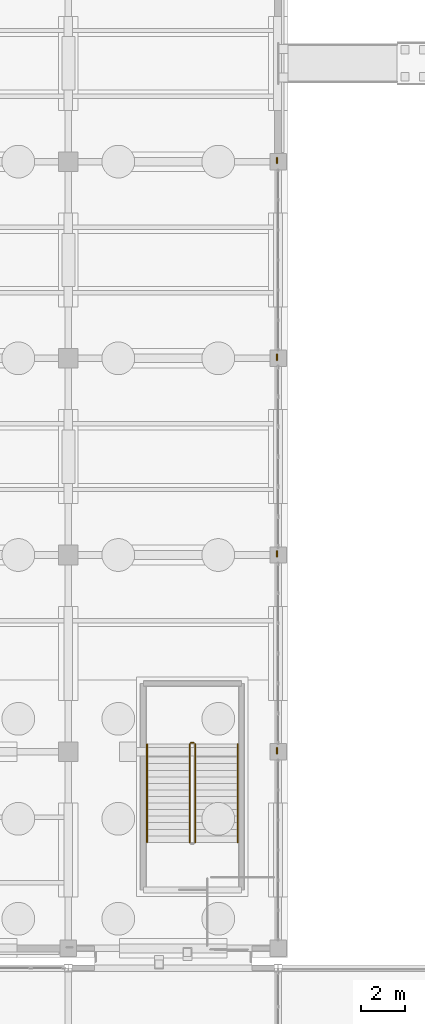
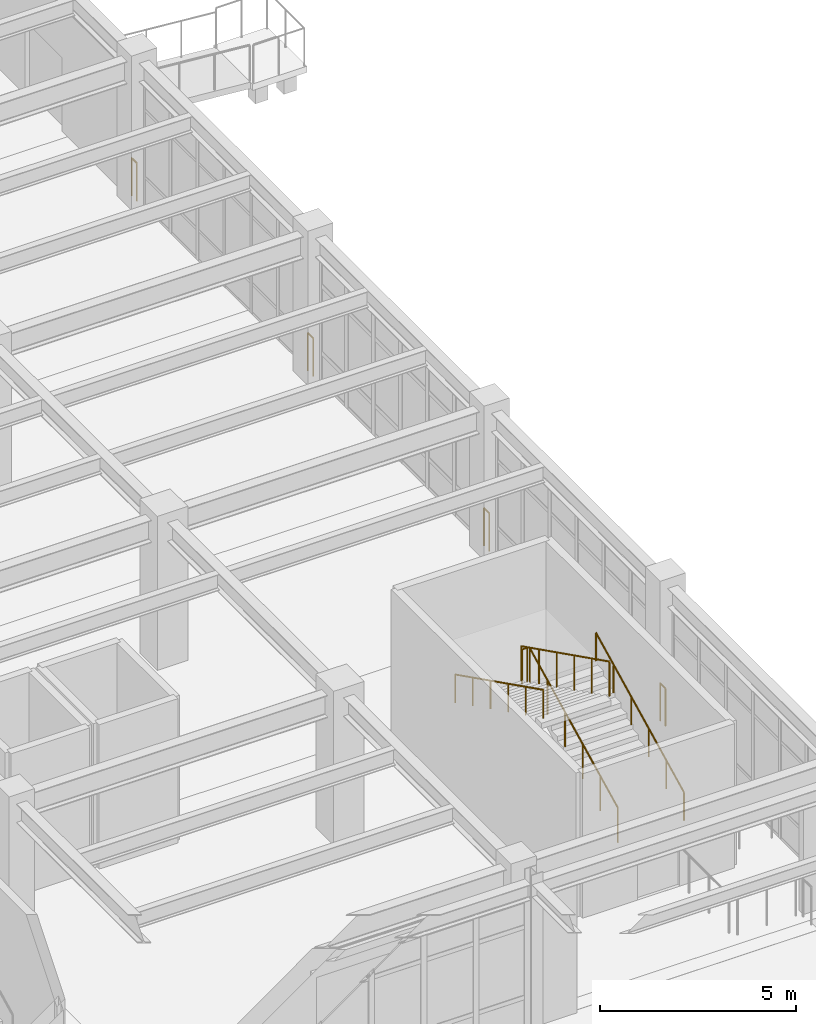
# One storey, part 132 of 139: 9 railings.
"""IFC4 building model written with IfcOpenShell, lengths in metres."""

import ifcopenshell
import ifcopenshell.guid

model = None  # the IFC model being written
_history = None  # IfcOwnerHistory: only IFC2X3 demands one
_inside = {}  # id of a spatial element -> (the spatial element, [elements in it])
_under = {}  # id of a project, library or spatial element -> (it, [spatial elements below it])
_declared = {}  # id of a project -> (the project, [libraries it declares])
_typed = {}  # id of a type object -> (the type object, [elements of that type])
_made_of = {}  # id of a material, layer set ... -> (it, [elements and type objects made of it])


def new_model(schema):
    """Start an empty IFC model of exactly this schema.

    Asked for "IFC4X3", IfcOpenShell would pick the latest addendum, in which some entities
    have other attributes; the version numbers below select the first issue.
    IFC2X3 requires an IfcOwnerHistory on every rooted entity: one is made here for all.
    """
    global model, _history
    if schema == "IFC4X3":
        model = ifcopenshell.file(schema_version=(4, 3, 0, 0))
    else:
        model = ifcopenshell.file(schema=schema)
    _inside.clear()
    _under.clear()
    _declared.clear()
    _typed.clear()
    _made_of.clear()
    _history = None
    if model.schema == "IFC2X3":
        org = make("IfcOrganization", Name="unknown")
        user = make(
            "IfcPersonAndOrganization",
            ThePerson=make("IfcPerson", FamilyName="unknown"),
            TheOrganization=org,
        )
        app = make(
            "IfcApplication",
            ApplicationDeveloper=org,
            Version="unknown",
            ApplicationFullName="unknown",
            ApplicationIdentifier="unknown",
        )
        _history = make(
            "IfcOwnerHistory",
            OwningUser=user,
            OwningApplication=app,
            ChangeAction="ADDED",
            CreationDate=0,
        )
    return model


def make(cls, **values):
    """One entity of the class cls with the attributes given. An attribute that is None is left unset."""
    return model.create_entity(
        cls, **{name: value for name, value in values.items() if value is not None}
    )


def rooted(cls, **values):
    """An entity with a GlobalId (a new one), such as an element, a storey or a relation."""
    return make(cls, GlobalId=ifcopenshell.guid.new(), OwnerHistory=_history, **values)


def si_unit(unit_type, name, prefix=None):
    """IfcSIUnit, for example si_unit("LENGTHUNIT", "METRE", prefix="MILLI")."""
    return make("IfcSIUnit", UnitType=unit_type, Prefix=prefix, Name=name)


def assignment(units):
    """IfcUnitAssignment: the units of a project."""
    return None if units is None else make("IfcUnitAssignment", Units=units)


def point(xyz):
    """IfcCartesianPoint."""
    return None if xyz is None else make("IfcCartesianPoint", Coordinates=xyz)


def direction(xyz):
    """IfcDirection."""
    return None if xyz is None else make("IfcDirection", DirectionRatios=xyz)


def frame(location, z_axis=None, x_axis=None):
    """IfcAxis2Placement3D, a coordinate frame: its origin and axes. An axis left out is left unset."""
    return make(
        "IfcAxis2Placement3D",
        Location=point(location),
        Axis=direction(z_axis),
        RefDirection=direction(x_axis),
    )


def frame_2d(location, x_axis=None):
    """IfcAxis2Placement2D, a coordinate frame in the plane: its origin and x axis."""
    return make(
        "IfcAxis2Placement2D", Location=point(location), RefDirection=direction(x_axis)
    )


def origin():
    """The frame at (0, 0, 0) with its axes left unset."""
    return frame((0.0, 0.0, 0.0))


def origin_2d():
    """The frame at (0, 0) in the plane with its x axis left unset."""
    return frame_2d((0.0, 0.0))


def place(relative_to, where):
    """IfcLocalPlacement: puts the frame where relative to a parent placement (None: the world)."""
    return make(
        "IfcLocalPlacement", PlacementRelTo=relative_to, RelativePlacement=where
    )


def context(
    kind, dimensions, precision=None, world=None, true_north=None, identifier=None
):
    """IfcGeometricRepresentationContext, for example the 3D "Model" context."""
    return make(
        "IfcGeometricRepresentationContext",
        ContextIdentifier=identifier,
        ContextType=kind,
        CoordinateSpaceDimension=dimensions,
        Precision=precision,
        WorldCoordinateSystem=world,
        TrueNorth=true_north,
    )


def subcontext(parent, identifier, kind, view, scale=None):
    """IfcGeometricRepresentationSubContext, for example "Body" below "Model"."""
    return make(
        "IfcGeometricRepresentationSubContext",
        ContextIdentifier=identifier,
        ContextType=kind,
        ParentContext=parent,
        TargetScale=scale,
        TargetView=view,
    )


def project(units=None, contexts=None):
    """IfcProject with its units and contexts."""
    return rooted(
        "IfcProject",
        Name="project",
        RepresentationContexts=contexts,
        UnitsInContext=assignment(units),
    )


def spatial(cls, under=None, at=None, **own):
    """A site, building, storey or space (cls), placed at a placement, below another one or the project."""
    s = rooted(cls, ObjectPlacement=at, **own)
    if under is not None:
        _under.setdefault(under.id(), (under, []))[1].append(s)
    return s


def profile(cls, at=None, kind="AREA", **sizes):
    """A parametric profile (cls). Its sizes go by their IFC names, for example OverallWidth=200.0."""
    return make(cls, ProfileType=kind, Position=at, **sizes)


def circle(**sizes):
    """IfcCircleProfileDef."""
    return profile("IfcCircleProfileDef", **sizes)


def extrude(swept, where, along, depth):
    """IfcExtrudedAreaSolid: the profile swept, set in the frame where, extruded along a direction by depth."""
    return make(
        "IfcExtrudedAreaSolid",
        SweptArea=swept,
        Position=where,
        ExtrudedDirection=direction(along),
        Depth=depth,
    )


def shape(context_of_items, identifier, shape_type, items):
    """IfcShapeRepresentation: the items that make up one representation, for example the "Body"."""
    return make(
        "IfcShapeRepresentation",
        ContextOfItems=context_of_items,
        RepresentationIdentifier=identifier,
        RepresentationType=shape_type,
        Items=items,
    )


def material(Name=None, Category=None):
    """IfcMaterial."""
    return make("IfcMaterial", Name=Name, Category=Category)


def made_of(thing, what):
    """Note that an element or type object is made of a material, layer set ...; save() writes the relation."""
    if what is not None:
        _made_of.setdefault(what.id(), (what, []))[1].append(thing)
    return thing


def type_object(cls, material=None, **own):
    """A type object (cls), such as IfcWallType, which elements share."""
    return made_of(rooted(cls, **own), material)


def element(
    cls,
    number,
    at=None,
    inside=None,
    cuts=None,
    type_object=None,
    material=None,
    context=None,
    identifier="Body",
    shape_type=None,
    held_by="IfcProductDefinitionShape",
    body=None,
    shapes=None,
    **own,
):
    """One element of the class cls, such as IfcWall. Its Tag is "e" and its number.

    at: its placement. inside: the storey or other place that contains it. cuts: it is an
    opening in that element (IfcRelVoidsElement). A single representation is given by context,
    identifier, shape_type and body (its items); several are given by shapes. held_by: the class
    of the entity that holds the representations. save() writes the other relations.
    """
    e = rooted(cls, Tag="e%d" % number, ObjectPlacement=at, **own)
    if body is not None:
        shapes = [shape(context, identifier, shape_type, body)]
    if shapes is not None:
        e.Representation = make(held_by, Representations=shapes)
    if inside is not None:
        _inside.setdefault(inside.id(), (inside, []))[1].append(e)
    if cuts is not None:
        rooted(
            "IfcRelVoidsElement", RelatingBuildingElement=cuts, RelatedOpeningElement=e
        )
    if type_object is not None:
        _typed.setdefault(type_object.id(), (type_object, []))[1].append(e)
    return made_of(e, material)


def aggregate(whole, parts):
    """IfcRelAggregates: a whole, such as a stair, and the parts it consists of."""
    return rooted("IfcRelAggregates", RelatingObject=whole, RelatedObjects=parts)


def save(model, path):
    """Write the relations noted so far, then the file.

    IfcRelAggregates (storeys below a building ...), IfcRelContainedInSpatialStructure (elements
    in a storey), IfcRelDefinesByType, IfcRelAssociatesMaterial and IfcRelDeclares: one each for
    every whole, place, type object, material and project.
    """
    for whole, parts in _under.values():
        aggregate(whole, parts)
    for where, things in _inside.values():
        rooted(
            "IfcRelContainedInSpatialStructure",
            RelatedElements=things,
            RelatingStructure=where,
        )
    for kind, things in _typed.values():
        rooted("IfcRelDefinesByType", RelatedObjects=things, RelatingType=kind)
    for what, things in _made_of.values():
        rooted("IfcRelAssociatesMaterial", RelatedObjects=things, RelatingMaterial=what)
    for by, libraries in _declared.values():
        rooted("IfcRelDeclares", RelatingContext=by, RelatedDefinitions=libraries)
    model.write(path)


model = new_model("IFC4")

# Units and contexts
model_context = context("Model", 3, precision=1e-05, world=origin(), true_north=direction((0.0, 1.0)))
body_context = subcontext(model_context, "Body", "Model", "MODEL_VIEW")
ifc_project = project(units=[si_unit("LENGTHUNIT", "METRE"), si_unit("AREAUNIT", "SQUARE_METRE"), si_unit("VOLUMEUNIT", "CUBIC_METRE"), si_unit("PLANEANGLEUNIT", "RADIAN"), si_unit("MASSUNIT", "GRAM", prefix="KILO")], contexts=[model_context])

# Site, building, storey
site_placement = place(None, origin())
site = spatial("IfcSite", under=ifc_project, at=site_placement, CompositionType="ELEMENT")
building_placement = place(site_placement, origin())
building = spatial("IfcBuilding", under=site, at=building_placement, Name="Canglan Escarpment Cableway Terminal", CompositionType="ELEMENT")
storey_placement = place(building_placement, frame((0.0, 0.0, 14.39990234375)))
storey = spatial("IfcBuildingStorey", under=building, at=storey_placement, Name="L03", CompositionType="ELEMENT", Elevation=14.39990234375)

# Railings
ifc_material_1 = material(Name="Carved limestone and anodized bronze balustrade", Category="masonry")
railing_type_1 = type_object("IfcRailingType", Name="RL-EXT-BALUSTRADE-1200", PredefinedType="BALUSTRADE", material=ifc_material_1)
for number, where, name in (
    (1, (166.35009765625, 70.18505859375, 0.0), "Classical terrace balustrade guard GD-01 (L03)"),
    (2, (166.35009765625, 61.18505859375, 0.0), "Classical terrace balustrade guard GD-01 (L03)"),
    (3, (166.35009765625, 52.18505859375, 0.0), "Classical terrace balustrade guard GD-01 (L03)"),
    (4, (166.35009765625, 43.18505859375, 0.0), "Classical terrace balustrade guard GD-01 (L03)"),
):
    element("IfcRailing", number, at=place(storey_placement, frame(where)), inside=storey, type_object=railing_type_1, Name=name, PredefinedType="BALUSTRADE", context=body_context, shape_type="SweptSolid", body=[
        extrude(circle(Radius=0.02392578125, at=origin_2d()), frame((0.0, 0.0, 1.17578125), z_axis=(0.0, -1.0, 0.0), x_axis=(1.0, 0.0, 0.0)), (0.0, 0.0, 1.0), 0.27001953125),
        extrude(circle(Radius=0.02099609375, at=origin_2d()), origin(), (0.0, 0.0, 1.0), 1.15185546875),
        extrude(circle(Radius=0.02099609375, at=origin_2d()), frame((0.0, -0.27001953125, 0.0)), (0.0, 0.0, 1.0), 1.15185546875),
    ])
ifc_material_2 = material(Name="Powder-coated steel stair balustrade", Category="steel")
railing_type_2 = type_object("IfcRailingType", Name="RL-STR-GUARD-1100", PredefinedType="BALUSTRADE", material=ifc_material_2)
railing_1_placement = place(storey_placement, frame((162.60009765625, 38.85009765625, 0.150146484375)))
element("IfcRailing", 5, at=railing_1_placement, inside=storey, type_object=railing_type_2, Name="L03 ST-15 stair guard 1", PredefinedType="BALUSTRADE", context=body_context, shape_type="SweptSolid", body=[
    extrude(circle(Radius=0.02392578125, at=origin_2d()), frame((0.0, 0.0, 1.076171875), z_axis=(0.0, 0.894427191, 0.4472135955), x_axis=(-1.0, 0.0, 0.0)), (0.0, 0.0, 1.0), 5.03125),
    extrude(circle(Radius=0.02099609375, at=origin_2d()), origin(), (0.0, 0.0, 1.0), 1.052001953125),
    extrude(circle(Radius=0.02099609375, at=origin_2d()), frame((0.0, 0.89990234375, 0.449951171875)), (0.0, 0.0, 1.0), 1.052001953125),
    extrude(circle(Radius=0.02099609375, at=origin_2d()), frame((0.0, 1.800048828125, 0.89990234375)), (0.0, 0.0, 1.0), 1.052001953125),
    extrude(circle(Radius=0.02099609375, at=origin_2d()), frame((0.0, 2.699951171875, 1.35009765625)), (0.0, 0.0, 1.0), 1.052001953125),
    extrude(circle(Radius=0.02099609375, at=origin_2d()), frame((0.0, 3.60009765625, 1.800048828125)), (0.0, 0.0, 1.0), 1.052001953125),
    extrude(circle(Radius=0.02099609375, at=origin_2d()), frame((0.0, 4.5, 2.25)), (0.0, 0.0, 1.0), 1.052001953125),
])
railing_2_placement = place(storey_placement, frame((162.550048828125, 43.39990234375, 2.400146484375)))
element("IfcRailing", 6, at=railing_2_placement, inside=storey, type_object=railing_type_2, Name="L03 ST-15 stair guard 2", PredefinedType="BALUSTRADE", context=body_context, shape_type="SweptSolid", body=[
    extrude(circle(Radius=0.02392578125, at=origin_2d()), frame((0.0, 0.0, 1.076171875), z_axis=(-1.0, 0.0, 0.0), x_axis=(0.0, -1.0, 0.0)), (0.0, 0.0, 1.0), 0.150146484375),
    extrude(circle(Radius=0.02099609375, at=origin_2d()), origin(), (0.0, 0.0, 1.0), 1.052001953125),
    extrude(circle(Radius=0.02099609375, at=origin_2d()), frame((-0.150146484375, 0.0, 0.0)), (0.0, 0.0, 1.0), 1.052001953125),
])
railing_3_placement = place(storey_placement, frame((162.35009765625, 43.35009765625, 2.550048828125)))
element("IfcRailing", 7, at=railing_3_placement, inside=storey, type_object=railing_type_2, Name="L03 ST-15 stair guard 3", PredefinedType="BALUSTRADE", context=body_context, shape_type="SweptSolid", body=[
    extrude(circle(Radius=0.02392578125, at=origin_2d()), frame((0.0, 0.0, 1.076171875), z_axis=(0.0, -0.894427191, 0.4472135955), x_axis=(1.0, 0.0, 0.0)), (0.0, 0.0, 1.0), 5.03125),
    extrude(circle(Radius=0.02099609375, at=origin_2d()), origin(), (0.0, 0.0, 1.0), 1.052001953125),
    extrude(circle(Radius=0.02099609375, at=origin_2d()), frame((0.0, -0.89990234375, 0.449951171875)), (0.0, 0.0, 1.0), 1.052001953125),
    extrude(circle(Radius=0.02099609375, at=origin_2d()), frame((0.0, -1.800048828125, 0.89990234375)), (0.0, 0.0, 1.0), 1.052001953125),
    extrude(circle(Radius=0.02099609375, at=origin_2d()), frame((0.0, -2.699951171875, 1.35009765625)), (0.0, 0.0, 1.0), 1.052001953125),
    extrude(circle(Radius=0.02099609375, at=origin_2d()), frame((0.0, -3.60009765625, 1.800048828125)), (0.0, 0.0, 1.0), 1.052001953125),
    extrude(circle(Radius=0.02099609375, at=origin_2d()), frame((0.0, -4.5, 2.25)), (0.0, 0.0, 1.0), 1.052001953125),
])
ifc_material_3 = material(Name="Brushed stainless steel 304 handrail", Category="steel")
railing_type_3 = type_object("IfcRailingType", Name="RL-STR-HR-900", PredefinedType="HANDRAIL", material=ifc_material_3)
railing_4_placement = place(storey_placement, frame((164.550048828125, 38.85009765625, 0.150146484375)))
element("IfcRailing", 8, at=railing_4_placement, inside=storey, type_object=railing_type_3, Name="L03 ST-15 stair handrail 1", PredefinedType="HANDRAIL", context=body_context, shape_type="SweptSolid", body=[
    extrude(circle(Radius=0.02392578125, at=origin_2d()), frame((0.0, 0.0, 0.8759765625), z_axis=(0.0, 0.894427191, 0.4472135955), x_axis=(-1.0, 0.0, 0.0)), (0.0, 0.0, 1.0), 5.03125),
    extrude(circle(Radius=0.02099609375, at=origin_2d()), origin(), (0.0, 0.0, 1.0), 0.851806640625),
    extrude(circle(Radius=0.02099609375, at=origin_2d()), frame((0.0, 0.89990234375, 0.449951171875)), (0.0, 0.0, 1.0), 0.851806640625),
    extrude(circle(Radius=0.02099609375, at=origin_2d()), frame((0.0, 1.800048828125, 0.89990234375)), (0.0, 0.0, 1.0), 0.851806640625),
    extrude(circle(Radius=0.02099609375, at=origin_2d()), frame((0.0, 2.699951171875, 1.35009765625)), (0.0, 0.0, 1.0), 0.851806640625),
    extrude(circle(Radius=0.02099609375, at=origin_2d()), frame((0.0, 3.60009765625, 1.800048828125)), (0.0, 0.0, 1.0), 0.851806640625),
    extrude(circle(Radius=0.02099609375, at=origin_2d()), frame((0.0, 4.5, 2.25)), (0.0, 0.0, 1.0), 0.851806640625),
])
railing_5_placement = place(storey_placement, frame((160.39990234375, 43.35009765625, 2.550048828125)))
element("IfcRailing", 9, at=railing_5_placement, inside=storey, type_object=railing_type_3, Name="L03 ST-15 stair handrail 2", PredefinedType="HANDRAIL", context=body_context, shape_type="SweptSolid", body=[
    extrude(circle(Radius=0.02392578125, at=origin_2d()), frame((0.0, 0.0, 0.8759765625), z_axis=(0.0, -0.894427191, 0.4472135955), x_axis=(1.0, 0.0, 0.0)), (0.0, 0.0, 1.0), 5.03125),
    extrude(circle(Radius=0.02099609375, at=origin_2d()), origin(), (0.0, 0.0, 1.0), 0.851806640625),
    extrude(circle(Radius=0.02099609375, at=origin_2d()), frame((0.0, -0.89990234375, 0.449951171875)), (0.0, 0.0, 1.0), 0.851806640625),
    extrude(circle(Radius=0.02099609375, at=origin_2d()), frame((0.0, -1.800048828125, 0.89990234375)), (0.0, 0.0, 1.0), 0.851806640625),
    extrude(circle(Radius=0.02099609375, at=origin_2d()), frame((0.0, -2.699951171875, 1.35009765625)), (0.0, 0.0, 1.0), 0.851806640625),
    extrude(circle(Radius=0.02099609375, at=origin_2d()), frame((0.0, -3.60009765625, 1.800048828125)), (0.0, 0.0, 1.0), 0.851806640625),
    extrude(circle(Radius=0.02099609375, at=origin_2d()), frame((0.0, -4.5, 2.25)), (0.0, 0.0, 1.0), 0.851806640625),
])

save(model, "model.ifc")
